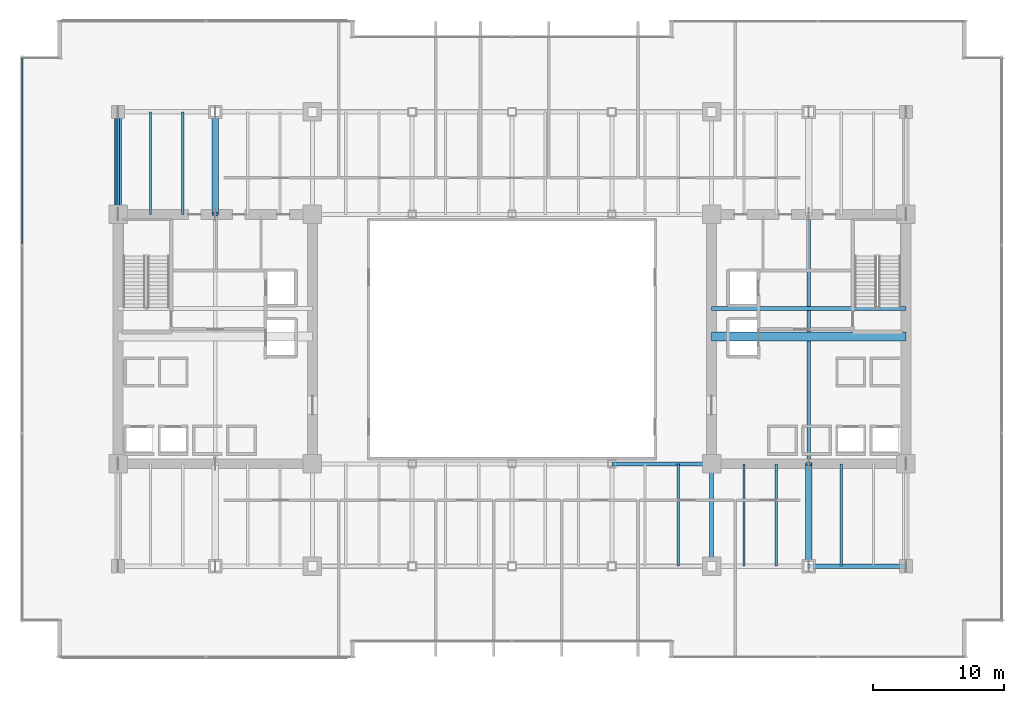
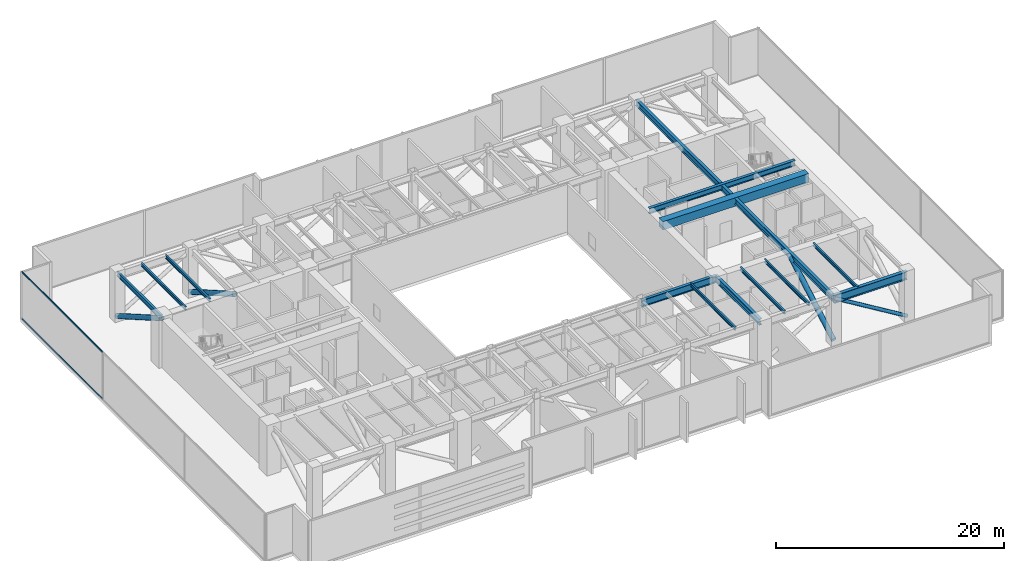
# One storey, part 11 of 38: 13 beams, 6 members, 1 element without a shape of its own.
"""IFC4 building model written with IfcOpenShell, lengths in metres."""

from ifc_helpers import new_model, si_unit, direction, frame, origin, origin_2d, place, context, subcontext, project, spatial, rectangle, hollow_rectangle, hollow_circle, i_section, extrude, source, transform, mapped, material, layer, layer_set, material_profile, profile_set, type_object, type_shapes, element, aggregate, save


model = new_model("IFC4")

# Units and contexts
model_context = context("Model", 3, precision=1e-05, world=origin(), true_north=direction((0.0, 1.0)))
body_context = subcontext(model_context, "Body", "Model", "MODEL_VIEW")
ifc_project = project(units=[si_unit("LENGTHUNIT", "METRE"), si_unit("AREAUNIT", "SQUARE_METRE"), si_unit("VOLUMEUNIT", "CUBIC_METRE"), si_unit("PLANEANGLEUNIT", "RADIAN"), si_unit("MASSUNIT", "GRAM", prefix="KILO")], contexts=[model_context])

# Site, building, storey
site_placement = place(None, origin())
site = spatial("IfcSite", under=ifc_project, at=site_placement, CompositionType="ELEMENT")
building_placement = place(site_placement, origin())
building = spatial("IfcBuilding", under=site, at=building_placement, Name="Haelvirn Gate Laboratories", CompositionType="ELEMENT")
storey_placement = place(building_placement, frame((0.0, 0.0, 94.89990234375)))
storey = spatial("IfcBuildingStorey", under=building, at=storey_placement, Name="L23", CompositionType="ELEMENT", Elevation=94.89990234375)

# Beams
ifc_material_1 = material(Name="Concrete C60/75", Category="concrete")
ifc_material_profile_1 = material_profile(ifc_material_1, rectangle(XDim=0.699951171875, YDim=0.89990234375, at=origin_2d()), Name="RCB-700x900")
ifc_profile_set_1 = profile_set([ifc_material_profile_1], Name="Concrete C60/75")
beam_type_1 = type_object("IfcBeamType", Name="BM-RCB-900", PredefinedType="LINTEL", material=ifc_profile_set_1)
shared_shape_1 = source(origin(), body_context, "Body", "SweptSolid", [
    extrude(rectangle(XDim=0.699951171875, YDim=0.89990234375, at=origin_2d()), origin(), (0.0, 0.0, 1.0), 14.7998046875),
])
type_shapes(beam_type_1, [shared_shape_1])
beam_1_placement = place(storey_placement, frame((52.60009765625, 24.5, 4.64013671875), z_axis=(1.0, 0.0, 0.0), x_axis=(0.0, 1.0, 0.0)))
element("IfcBeam", 1, at=beam_1_placement, inside=storey, type_object=beam_type_1, Name="L23 East Core Coupling Beam", PredefinedType="LINTEL", context=body_context, shape_type="MappedRepresentation", body=[
    mapped(shared_shape_1, transform((0.0, 0.0, 0.0), scale=1.0)),
])
ifc_material_2 = material(Name="Steel SM355", Category="steel")
ifc_material_profile_2 = material_profile(ifc_material_2, i_section(OverallWidth=0.300048828125, OverallDepth=0.587890625, WebThickness=0.011962890625, FlangeThickness=0.02001953125, at=origin_2d()), Name="H-588x300x12x20")
ifc_profile_set_2 = profile_set([ifc_material_profile_2], Name="Steel SM355")
beam_type_2 = type_object("IfcBeamType", Name="BM-G-588", PredefinedType="BEAM", material=ifc_profile_set_2)
shared_shape_2 = source(origin(), body_context, "Body", "SweptSolid", [
    extrude(i_section(OverallWidth=0.300048828125, OverallDepth=0.587890625, WebThickness=0.011962890625, FlangeThickness=0.02001953125, at=origin_2d()), origin(), (0.0, 0.0, 1.0), 14.7998046875),
])
type_shapes(beam_type_2, [shared_shape_2])
beam_2_placement = place(storey_placement, frame((52.60009765625, 26.6201171875, 4.796142578125), z_axis=(1.0, 0.0, 0.0), x_axis=(0.0, 1.0, 0.0)))
element("IfcBeam", 2, at=beam_2_placement, inside=storey, type_object=beam_type_2, Name="L23 Stair ST2 Landing Header", PredefinedType="BEAM", context=body_context, shape_type="MappedRepresentation", body=[
    mapped(shared_shape_2, transform((0.0, 0.0, 0.0), scale=1.0)),
])
ifc_material_profile_3 = material_profile(ifc_material_2, i_section(OverallWidth=0.300048828125, OverallDepth=0.75, WebThickness=0.013916015625, FlangeThickness=0.02392578125, at=origin_2d()), Name="H-750x300x14x24")
ifc_profile_set_3 = profile_set([ifc_material_profile_3], Name="Steel SM355")
beam_type_3 = type_object("IfcBeamType", Name="BM-G-750", PredefinedType="BEAM", material=ifc_profile_set_3)
shared_shape_3 = source(origin(), body_context, "Body", "SweptSolid", [
    extrude(i_section(OverallWidth=0.300048828125, OverallDepth=0.75, WebThickness=0.013916015625, FlangeThickness=0.02392578125, at=origin_2d()), origin(), (0.0, 0.0, 1.0), 7.60009765625),
])
type_shapes(beam_type_3, [shared_shape_3])
beam_3_placement = place(storey_placement, frame((45.0, 14.800048828125, 4.715087890625), z_axis=(1.0, 0.0, 0.0), x_axis=(0.0, 1.0, 0.0)))
element("IfcBeam", 3, at=beam_3_placement, inside=storey, type_object=beam_type_3, Name="L23 Primary Girder Y14.8 (45.0-52.6)", PredefinedType="BEAM", context=body_context, shape_type="MappedRepresentation", body=[
    mapped(shared_shape_3, transform((0.0, 0.0, 0.0), scale=1.0)),
])
ifc_material_profile_4 = material_profile(ifc_material_2, i_section(OverallWidth=0.199951171875, OverallDepth=0.5, WebThickness=0.010009765625, FlangeThickness=0.01611328125, at=origin_2d()), Name="H-500x200x10x16")
ifc_profile_set_4 = profile_set([ifc_material_profile_4], Name="Steel SM355")
beam_type_4 = type_object("IfcBeamType", Name="BM-SP-500", PredefinedType="SPANDREL", material=ifc_profile_set_4)
shared_shape_4 = source(origin(), body_context, "Body", "SweptSolid", [
    extrude(i_section(OverallWidth=0.199951171875, OverallDepth=0.5, WebThickness=0.010009765625, FlangeThickness=0.01611328125, at=origin_2d()), origin(), (0.0, 0.0, 1.0), 7.800048828125),
])
type_shapes(beam_type_4, [shared_shape_4])
beam_4_placement = place(storey_placement, frame((7.39990234375, 33.800048828125, 4.840087890625), z_axis=(0.0, 1.0, 0.0), x_axis=(-1.0, 0.0, 0.0)))
element("IfcBeam", 4, at=beam_4_placement, inside=storey, type_object=beam_type_4, Name="L23 Perimeter Spandrel X7.4 (33.8-41.6)", PredefinedType="SPANDREL", context=body_context, shape_type="MappedRepresentation", body=[
    mapped(shared_shape_4, transform((0.0, 0.0, 0.0), scale=1.0)),
])
ifc_material_profile_5 = material_profile(ifc_material_2, i_section(OverallWidth=0.175048828125, OverallDepth=0.35009765625, WebThickness=0.007080078125, FlangeThickness=0.010986328125, at=origin_2d()), Name="H-350x175x7x11")
ifc_profile_set_5 = profile_set([ifc_material_profile_5], Name="Steel SM355")
beam_type_5 = type_object("IfcBeamType", Name="BM-J-350", PredefinedType="JOIST", material=ifc_profile_set_5)
shared_shape_5 = source(origin(), body_context, "Body", "SweptSolid", [
    extrude(i_section(OverallWidth=0.175048828125, OverallDepth=0.35009765625, WebThickness=0.007080078125, FlangeThickness=0.010986328125, at=origin_2d()), origin(), (0.0, 0.0, 1.0), 7.800048828125),
])
type_shapes(beam_type_5, [shared_shape_5])
for number, where, z_axis, x_axis, name in (
    (5, (9.8701171875, 33.800048828125, 4.9150390625), (0.0, 1.0, 0.0), (-1.0, 0.0, 0.0), "L23 Composite Lab Joist North X9.87"),
    (6, (12.330078125, 33.800048828125, 4.9150390625), (0.0, 1.0, 0.0), (-1.0, 0.0, 0.0), "L23 Composite Lab Joist North X12.33"),
    (7, (50.070068359375, 7.0, 4.9150390625), (0.0, 1.0, 0.0), (-1.0, 0.0, 0.0), "L23 Composite Lab Joist South X50.07"),
    (8, (55.070068359375, 7.0, 4.9150390625), (0.0, 1.0, 0.0), (-1.0, 0.0, 0.0), "L23 Composite Lab Joist South X55.07"),
    (9, (57.530029296875, 7.0, 4.9150390625), (0.0, 1.0, 0.0), (-1.0, 0.0, 0.0), "L23 Composite Lab Joist South X57.53"),
    (10, (62.469970703125, 7.0, 4.9150390625), (0.0, 1.0, 0.0), (-1.0, 0.0, 0.0), "L23 Composite Lab Joist South X62.47"),
):
    element("IfcBeam", number, at=place(storey_placement, frame(where, z_axis=z_axis, x_axis=x_axis)), inside=storey, type_object=beam_type_5, Name=name, PredefinedType="JOIST", context=body_context, shape_type="MappedRepresentation", body=[
        mapped(shared_shape_5, transform((0.0, 0.0, 0.0), scale=1.0)),
    ])
ifc_material_profile_6 = material_profile(ifc_material_2, i_section(OverallWidth=0.300048828125, OverallDepth=0.64990234375, WebThickness=0.012939453125, FlangeThickness=0.02197265625, at=origin_2d()), Name="H-650x300x13x22")
ifc_profile_set_6 = profile_set([ifc_material_profile_6], Name="Steel SM355")
beam_type_6 = type_object("IfcBeamType", Name="BM-G-650", PredefinedType="BEAM", material=ifc_profile_set_6)
shared_shape_6 = source(origin(), body_context, "Body", "SweptSolid", [
    extrude(i_section(OverallWidth=0.300048828125, OverallDepth=0.64990234375, WebThickness=0.012939453125, FlangeThickness=0.02197265625, at=origin_2d()), origin(), (0.0, 0.0, 1.0), 34.60009765625),
])
beam_5_placement = place(storey_placement, frame((60.0, 7.0, 4.76513671875), z_axis=(0.0, 1.0, 0.0), x_axis=(-1.0, 0.0, 0.0)))
element("IfcBeam", 11, at=beam_5_placement, inside=storey, type_object=beam_type_6, Name="L23 Frame Girder X60.0 (7.0-41.6)", PredefinedType="BEAM", context=body_context, shape_type="MappedRepresentation", body=[
    mapped(shared_shape_6, transform((0.0, 0.0, 0.0), scale=1.0)),
])
shared_shape_7 = source(origin(), body_context, "Body", "SweptSolid", [
    extrude(i_section(OverallWidth=0.300048828125, OverallDepth=0.64990234375, WebThickness=0.012939453125, FlangeThickness=0.02197265625, at=origin_2d()), origin(), (0.0, 0.0, 1.0), 7.800048828125),
])
type_shapes(beam_type_6, [shared_shape_6, shared_shape_7])
beam_6_placement = place(storey_placement, frame((52.60009765625, 7.0, 4.76513671875), z_axis=(0.0, 1.0, 0.0), x_axis=(-1.0, 0.0, 0.0)))
element("IfcBeam", 12, at=beam_6_placement, inside=storey, type_object=beam_type_6, Name="L23 Frame Girder X52.6 (7.0-14.8)", PredefinedType="BEAM", context=body_context, shape_type="MappedRepresentation", body=[
    mapped(shared_shape_7, transform((0.0, 0.0, 0.0), scale=1.0)),
])
ifc_material_3 = material(Name="Steel SM420", Category="steel")
ifc_material_profile_7 = material_profile(ifc_material_3, i_section(OverallWidth=0.35009765625, OverallDepth=0.85009765625, WebThickness=0.01611328125, FlangeThickness=0.028076171875, at=origin_2d()), Name="H-850x350x16x28")
ifc_profile_set_7 = profile_set([ifc_material_profile_7], Name="Steel SM420")
beam_type_7 = type_object("IfcBeamType", Name="BM-AG-850", PredefinedType="BEAM", material=ifc_profile_set_7)
shared_shape_8 = source(origin(), body_context, "Body", "SweptSolid", [
    extrude(i_section(OverallWidth=0.35009765625, OverallDepth=0.85009765625, WebThickness=0.01611328125, FlangeThickness=0.028076171875, at=origin_2d()), origin(), (0.0, 0.0, 1.0), 7.39990234375),
])
type_shapes(beam_type_7, [shared_shape_8])
beam_7_placement = place(storey_placement, frame((60.0, 7.0, 4.6650390625), z_axis=(1.0, 0.0, 0.0), x_axis=(0.0, 1.0, 0.0)))
element("IfcBeam", 13, at=beam_7_placement, inside=storey, type_object=beam_type_7, Name="L23 Primary Girder Y7.0 (60.0-67.4)", PredefinedType="BEAM", context=body_context, shape_type="MappedRepresentation", body=[
    mapped(shared_shape_8, transform((0.0, 0.0, 0.0), scale=1.0)),
])

# Members
ifc_material_profile_8 = material_profile(ifc_material_3, hollow_circle(Radius=0.25390625, WallThickness=0.02001953125, at=origin_2d()), Name="CHS-508x20")
ifc_profile_set_8 = profile_set([ifc_material_profile_8], Name="Steel SM420")
member_type_1 = type_object("IfcMemberType", Name="MEM-OUTRIG-1", PredefinedType="BRACE", material=ifc_profile_set_8)
shared_shape_9 = source(origin(), body_context, "Body", "SweptSolid", [
    extrude(hollow_circle(Radius=0.25390625, WallThickness=0.02001953125, at=origin_2d()), origin(), (0.0, 0.0, 1.0), 9.0),
])
type_shapes(member_type_1, [shared_shape_9])
for number, where, z_axis, x_axis, name in (
    (14, (7.39990234375, 33.800048828125, 4.739990234375), (0.0, 0.866667951138, -0.498885420182), (-1.0, 0.0, 0.0), "L23 Outrigger Truss Arm WN1"),
    (15, (14.800048828125, 33.800048828125, 4.739990234375), (0.0, 0.866667951138, -0.498885420182), (-1.0, 0.0, 0.0), "L23 Outrigger Truss Arm WN2"),
    (16, (60.0, 14.800048828125, 4.739990234375), (0.0, -0.866667951138, -0.498885420182), (1.0, 0.0, 0.0), "L23 Outrigger Truss Arm ES1"),
):
    element("IfcMember", number, at=place(storey_placement, frame(where, z_axis=z_axis, x_axis=x_axis)), inside=storey, type_object=member_type_1, Name=name, PredefinedType="BRACE", context=body_context, shape_type="MappedRepresentation", body=[
        mapped(shared_shape_9, transform((0.0, 0.0, 0.0), scale=1.0)),
    ])
ifc_material_profile_9 = material_profile(ifc_material_2, hollow_circle(Radius=0.177734375, WallThickness=0.013916015625, at=origin_2d()), Name="CHS-355x14")
ifc_profile_set_9 = profile_set([ifc_material_profile_9], Name="Steel SM355")
member_type_2 = type_object("IfcMemberType", Name="MEM-BELT-1", PredefinedType="STRUT", material=ifc_profile_set_9)
shared_shape_10 = source(origin(), body_context, "Body", "SweptSolid", [
    extrude(hollow_circle(Radius=0.177734375, WallThickness=0.013916015625, at=origin_2d()), origin(), (0.0, 0.0, 1.0), 8.655517578125),
])
type_shapes(member_type_2, [shared_shape_10])
member_1_placement = place(storey_placement, frame((60.0, 7.0, 4.739990234375), z_axis=(0.854931378918, 0.0, -0.518741108205), x_axis=(0.0, 1.0, 0.0)))
element("IfcMember", 17, at=member_1_placement, inside=storey, type_object=member_type_2, Name="L23 Perimeter Belt Truss S8", PredefinedType="STRUT", context=body_context, shape_type="MappedRepresentation", body=[
    mapped(shared_shape_10, transform((0.0, 0.0, 0.0), scale=1.0)),
])

# Curtain wall, members
ifc_material_4 = material(Name="Anodised bronze unitised aluminium & triple low-E glass", Category="aluminium")
ifc_layer = layer(ifc_material_4, 0.18408203125, Name="CW-SYS-2")
ifc_layer_set = layer_set([ifc_layer], Name="Anodised bronze unitised aluminium & triple low-E glass")
curtain_wall_type = type_object("IfcCurtainWallType", Name="CW-SYS-2", PredefinedType="NOTDEFINED", material=ifc_layer_set)
curtain_wall_placement = place(storey_placement, origin())
curtain_wall = element("IfcCurtainWall", 18, at=curtain_wall_placement, inside=storey, type_object=curtain_wall_type, Name="L23 Unitised Curtain Wall CW-L23-P0-E17", PredefinedType="NOTDEFINED")
ifc_material_5 = material(Name="Extruded aluminium 6063-T6 (anodised bronze)", Category="aluminium")
ifc_material_profile_10 = material_profile(ifc_material_5, hollow_rectangle(XDim=0.070068359375, YDim=0.159912109375, WallThickness=0.0048828125, at=origin_2d()), Name="CWT-160x70x5")
ifc_profile_set_10 = profile_set([ifc_material_profile_10], Name="Extruded aluminium 6063-T6 (anodised bronze)")
member_type_3 = type_object("IfcMemberType", Name="CWT-T160", PredefinedType="USERDEFINED", material=ifc_profile_set_10)
shared_shape_11 = source(origin(), body_context, "Body", "SweptSolid", [
    extrude(hollow_rectangle(XDim=0.070068359375, YDim=0.159912109375, WallThickness=0.0048828125, at=origin_2d()), origin(), (0.0, 0.0, 1.0), 14.220947265625),
])
type_shapes(member_type_3, [shared_shape_11])
member_2_placement = place(storey_placement, frame((0.10009765625, 45.72509765625, 0.03515625), z_axis=(0.0, -1.0, 0.0), x_axis=(1.0, 0.0, 0.0)))
member_2 = element("IfcMember", 19, at=member_2_placement, type_object=member_type_3, Name="CW2 transom 1.1", ObjectType="TRANSOM", PredefinedType="USERDEFINED", context=body_context, shape_type="MappedRepresentation", body=[
    mapped(shared_shape_11, transform((0.0, 0.0, 0.0), scale=1.0)),
])
member_3_placement = place(storey_placement, frame((0.10009765625, 45.72509765625, 5.05517578125), z_axis=(0.0, -1.0, 0.0), x_axis=(1.0, 0.0, 0.0)))
member_3 = element("IfcMember", 20, at=member_3_placement, type_object=member_type_3, Name="CW2 transom 1.2", ObjectType="TRANSOM", PredefinedType="USERDEFINED", context=body_context, shape_type="MappedRepresentation", body=[
    mapped(shared_shape_11, transform((0.0, 0.0, 0.0), scale=1.0)),
])
aggregate(curtain_wall, [member_2, member_3])

save(model, "model.ifc")
